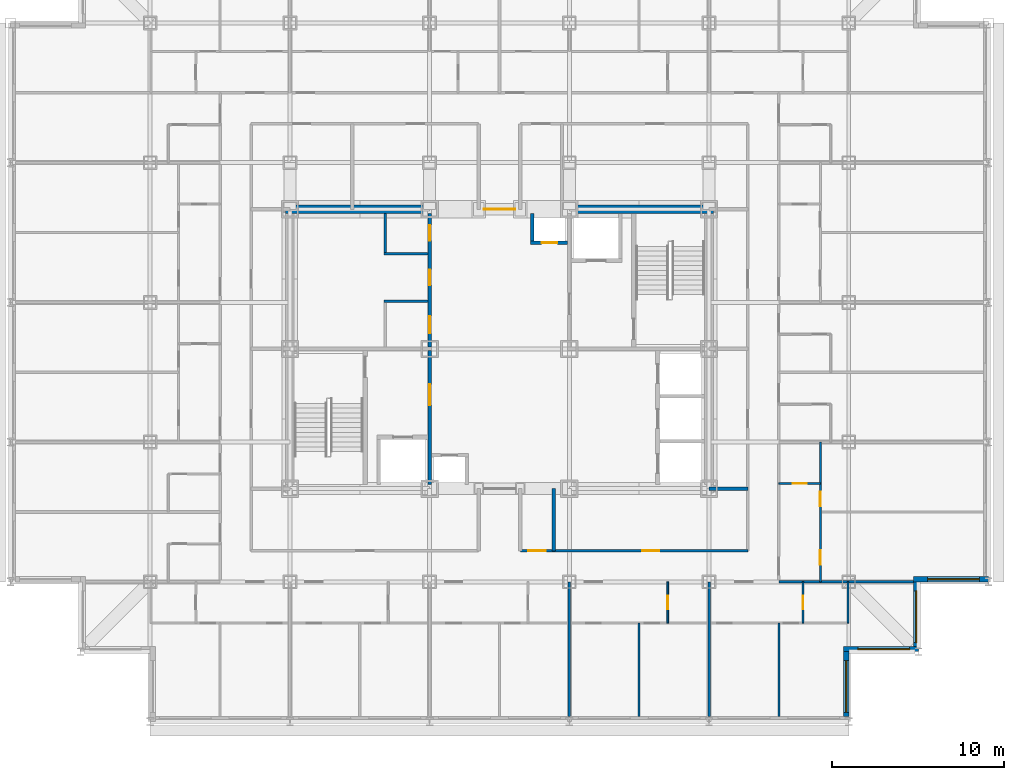
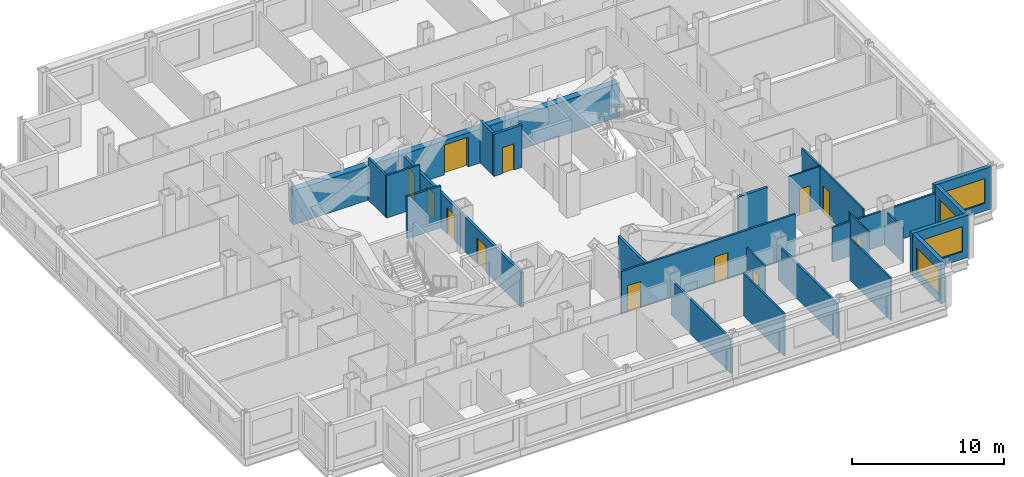
# One storey, part 7 of 12: 25 walls, 13 doors, 4 windows, 17 openings.
"""IFC4 building model written with IfcOpenShell, lengths in metres."""

import ifcopenshell
import ifcopenshell.guid

model = None  # the IFC model being written
_history = None  # IfcOwnerHistory: only IFC2X3 demands one
_inside = {}  # id of a spatial element -> (the spatial element, [elements in it])
_under = {}  # id of a project, library or spatial element -> (it, [spatial elements below it])
_declared = {}  # id of a project -> (the project, [libraries it declares])
_typed = {}  # id of a type object -> (the type object, [elements of that type])
_made_of = {}  # id of a material, layer set ... -> (it, [elements and type objects made of it])


def new_model(schema):
    """Start an empty IFC model of exactly this schema.

    Asked for "IFC4X3", IfcOpenShell would pick the latest addendum, in which some entities
    have other attributes; the version numbers below select the first issue.
    IFC2X3 requires an IfcOwnerHistory on every rooted entity: one is made here for all.
    """
    global model, _history
    if schema == "IFC4X3":
        model = ifcopenshell.file(schema_version=(4, 3, 0, 0))
    else:
        model = ifcopenshell.file(schema=schema)
    _inside.clear()
    _under.clear()
    _declared.clear()
    _typed.clear()
    _made_of.clear()
    _history = None
    if model.schema == "IFC2X3":
        org = make("IfcOrganization", Name="unknown")
        user = make(
            "IfcPersonAndOrganization",
            ThePerson=make("IfcPerson", FamilyName="unknown"),
            TheOrganization=org,
        )
        app = make(
            "IfcApplication",
            ApplicationDeveloper=org,
            Version="unknown",
            ApplicationFullName="unknown",
            ApplicationIdentifier="unknown",
        )
        _history = make(
            "IfcOwnerHistory",
            OwningUser=user,
            OwningApplication=app,
            ChangeAction="ADDED",
            CreationDate=0,
        )
    return model


def make(cls, **values):
    """One entity of the class cls with the attributes given. An attribute that is None is left unset."""
    return model.create_entity(
        cls, **{name: value for name, value in values.items() if value is not None}
    )


def rooted(cls, **values):
    """An entity with a GlobalId (a new one), such as an element, a storey or a relation."""
    return make(cls, GlobalId=ifcopenshell.guid.new(), OwnerHistory=_history, **values)


def si_unit(unit_type, name, prefix=None):
    """IfcSIUnit, for example si_unit("LENGTHUNIT", "METRE", prefix="MILLI")."""
    return make("IfcSIUnit", UnitType=unit_type, Prefix=prefix, Name=name)


def assignment(units):
    """IfcUnitAssignment: the units of a project."""
    return None if units is None else make("IfcUnitAssignment", Units=units)


def point(xyz):
    """IfcCartesianPoint."""
    return None if xyz is None else make("IfcCartesianPoint", Coordinates=xyz)


def direction(xyz):
    """IfcDirection."""
    return None if xyz is None else make("IfcDirection", DirectionRatios=xyz)


def frame(location, z_axis=None, x_axis=None):
    """IfcAxis2Placement3D, a coordinate frame: its origin and axes. An axis left out is left unset."""
    return make(
        "IfcAxis2Placement3D",
        Location=point(location),
        Axis=direction(z_axis),
        RefDirection=direction(x_axis),
    )


def frame_2d(location, x_axis=None):
    """IfcAxis2Placement2D, a coordinate frame in the plane: its origin and x axis."""
    return make(
        "IfcAxis2Placement2D", Location=point(location), RefDirection=direction(x_axis)
    )


def origin():
    """The frame at (0, 0, 0) with its axes left unset."""
    return frame((0.0, 0.0, 0.0))


def place(relative_to, where):
    """IfcLocalPlacement: puts the frame where relative to a parent placement (None: the world)."""
    return make(
        "IfcLocalPlacement", PlacementRelTo=relative_to, RelativePlacement=where
    )


def context(
    kind, dimensions, precision=None, world=None, true_north=None, identifier=None
):
    """IfcGeometricRepresentationContext, for example the 3D "Model" context."""
    return make(
        "IfcGeometricRepresentationContext",
        ContextIdentifier=identifier,
        ContextType=kind,
        CoordinateSpaceDimension=dimensions,
        Precision=precision,
        WorldCoordinateSystem=world,
        TrueNorth=true_north,
    )


def subcontext(parent, identifier, kind, view, scale=None):
    """IfcGeometricRepresentationSubContext, for example "Body" below "Model"."""
    return make(
        "IfcGeometricRepresentationSubContext",
        ContextIdentifier=identifier,
        ContextType=kind,
        ParentContext=parent,
        TargetScale=scale,
        TargetView=view,
    )


def project(units=None, contexts=None):
    """IfcProject with its units and contexts."""
    return rooted(
        "IfcProject",
        Name="project",
        RepresentationContexts=contexts,
        UnitsInContext=assignment(units),
    )


def spatial(cls, under=None, at=None, **own):
    """A site, building, storey or space (cls), placed at a placement, below another one or the project."""
    s = rooted(cls, ObjectPlacement=at, **own)
    if under is not None:
        _under.setdefault(under.id(), (under, []))[1].append(s)
    return s


def profile(cls, at=None, kind="AREA", **sizes):
    """A parametric profile (cls). Its sizes go by their IFC names, for example OverallWidth=200.0."""
    return make(cls, ProfileType=kind, Position=at, **sizes)


def rectangle(**sizes):
    """IfcRectangleProfileDef."""
    return profile("IfcRectangleProfileDef", **sizes)


def extrude(swept, where, along, depth):
    """IfcExtrudedAreaSolid: the profile swept, set in the frame where, extruded along a direction by depth."""
    return make(
        "IfcExtrudedAreaSolid",
        SweptArea=swept,
        Position=where,
        ExtrudedDirection=direction(along),
        Depth=depth,
    )


def shape(context_of_items, identifier, shape_type, items):
    """IfcShapeRepresentation: the items that make up one representation, for example the "Body"."""
    return make(
        "IfcShapeRepresentation",
        ContextOfItems=context_of_items,
        RepresentationIdentifier=identifier,
        RepresentationType=shape_type,
        Items=items,
    )


def material(Name=None, Category=None):
    """IfcMaterial."""
    return make("IfcMaterial", Name=Name, Category=Category)


def layer(
    of_material, thickness, ventilated=None, Name=None, Category=None, Priority=None
):
    """IfcMaterialLayer: one layer of a wall or slab, of a material (None: an air gap)."""
    return make(
        "IfcMaterialLayer",
        Material=of_material,
        LayerThickness=thickness,
        IsVentilated=ventilated,
        Name=Name,
        Category=Category,
        Priority=Priority,
    )


def layer_set(layers, Name=None):
    """IfcMaterialLayerSet."""
    return make("IfcMaterialLayerSet", MaterialLayers=layers, LayerSetName=Name)


def made_of(thing, what):
    """Note that an element or type object is made of a material, layer set ...; save() writes the relation."""
    if what is not None:
        _made_of.setdefault(what.id(), (what, []))[1].append(thing)
    return thing


def type_object(cls, material=None, **own):
    """A type object (cls), such as IfcWallType, which elements share."""
    return made_of(rooted(cls, **own), material)


def element(
    cls,
    number,
    at=None,
    inside=None,
    cuts=None,
    type_object=None,
    material=None,
    context=None,
    identifier="Body",
    shape_type=None,
    held_by="IfcProductDefinitionShape",
    body=None,
    shapes=None,
    **own,
):
    """One element of the class cls, such as IfcWall. Its Tag is "e" and its number.

    at: its placement. inside: the storey or other place that contains it. cuts: it is an
    opening in that element (IfcRelVoidsElement). A single representation is given by context,
    identifier, shape_type and body (its items); several are given by shapes. held_by: the class
    of the entity that holds the representations. save() writes the other relations.
    """
    e = rooted(cls, Tag="e%d" % number, ObjectPlacement=at, **own)
    if body is not None:
        shapes = [shape(context, identifier, shape_type, body)]
    if shapes is not None:
        e.Representation = make(held_by, Representations=shapes)
    if inside is not None:
        _inside.setdefault(inside.id(), (inside, []))[1].append(e)
    if cuts is not None:
        rooted(
            "IfcRelVoidsElement", RelatingBuildingElement=cuts, RelatedOpeningElement=e
        )
    if type_object is not None:
        _typed.setdefault(type_object.id(), (type_object, []))[1].append(e)
    return made_of(e, material)


def fill(opening, filler):
    """IfcRelFillsElement: the door or window that sits in an opening."""
    return rooted(
        "IfcRelFillsElement",
        RelatingOpeningElement=opening,
        RelatedBuildingElement=filler,
    )


def aggregate(whole, parts):
    """IfcRelAggregates: a whole, such as a stair, and the parts it consists of."""
    return rooted("IfcRelAggregates", RelatingObject=whole, RelatedObjects=parts)


def save(model, path):
    """Write the relations noted so far, then the file.

    IfcRelAggregates (storeys below a building ...), IfcRelContainedInSpatialStructure (elements
    in a storey), IfcRelDefinesByType, IfcRelAssociatesMaterial and IfcRelDeclares: one each for
    every whole, place, type object, material and project.
    """
    for whole, parts in _under.values():
        aggregate(whole, parts)
    for where, things in _inside.values():
        rooted(
            "IfcRelContainedInSpatialStructure",
            RelatedElements=things,
            RelatingStructure=where,
        )
    for kind, things in _typed.values():
        rooted("IfcRelDefinesByType", RelatedObjects=things, RelatingType=kind)
    for what, things in _made_of.values():
        rooted("IfcRelAssociatesMaterial", RelatedObjects=things, RelatingMaterial=what)
    for by, libraries in _declared.values():
        rooted("IfcRelDeclares", RelatingContext=by, RelatedDefinitions=libraries)
    model.write(path)


model = new_model("IFC4")

# Units and contexts
model_context = context("Model", 3, precision=1e-05, world=origin(), true_north=direction((0.0, 1.0)))
body_context = subcontext(model_context, "Body", "Model", "MODEL_VIEW")
ifc_project = project(units=[si_unit("LENGTHUNIT", "METRE"), si_unit("AREAUNIT", "SQUARE_METRE"), si_unit("VOLUMEUNIT", "CUBIC_METRE"), si_unit("PLANEANGLEUNIT", "RADIAN"), si_unit("MASSUNIT", "GRAM", prefix="KILO")], contexts=[model_context])

# Site, building, storey
site_placement = place(None, origin())
site = spatial("IfcSite", under=ifc_project, at=site_placement, CompositionType="ELEMENT")
building_placement = place(site_placement, origin())
building = spatial("IfcBuilding", under=site, at=building_placement, Name="Kopane Lantern Tower", CompositionType="ELEMENT")
storey_placement = place(building_placement, frame((0.0, 0.0, 184.800048828125)))
storey = spatial("IfcBuildingStorey", under=building, at=storey_placement, Name="L47", CompositionType="ELEMENT", Elevation=184.800048828125)

# Wall
ifc_material_1 = material(Name="Gypsum board on steel studs", Category="steel")
ifc_layer_1 = layer(ifc_material_1, 0.1201171875)
ifc_layer_set_1 = layer_set([ifc_layer_1], Name="APARTMENT INTERNAL WALL 120")
wall_type_1 = type_object("IfcWallType", Name="APARTMENT INTERNAL WALL 120", PredefinedType="PARTITIONING", material=ifc_layer_set_1)
wall_1_placement = place(storey_placement, frame((36.449951171875, 16.5, 0.0), z_axis=(0.0, 0.0, 1.0), x_axis=(0.0, -1.0, 0.0)))
element("IfcWall", 1, at=wall_1_placement, inside=storey, type_object=wall_type_1, Name="Apartment Internal Wall 120 L47", PredefinedType="PARTITIONING", context=body_context, shape_type="SweptSolid", body=[
    extrude(rectangle(XDim=5.39990234375, YDim=0.1201171875, at=frame_2d((2.699951171875, 0.0))), origin(), (0.0, 0.0, 1.0), 3.389892578125),
])

# Wall, openings, doors
wall_2_placement = place(storey_placement, frame((46.949951171875, 18.89990234375, 0.0), z_axis=(0.0, 0.0, 1.0), x_axis=(0.0, 1.0, 0.0)))
wall_2 = element("IfcWall", 2, at=wall_2_placement, inside=storey, type_object=wall_type_1, Name="Apartment Internal Wall 120 L47", PredefinedType="PARTITIONING", context=body_context, shape_type="SweptSolid", body=[
    extrude(rectangle(XDim=8.10009765625, YDim=0.1201171875, at=frame_2d((4.050048828125, 0.0))), origin(), (0.0, 0.0, 1.0), 3.389892578125),
])
opening_1_placement = place(wall_2_placement, frame((0.97509765625, 0.0, 0.0)))
opening_1 = element("IfcOpeningElement", 3, at=opening_1_placement, cuts=wall_2, Name="Opening L47-048", PredefinedType="OPENING", context=body_context, shape_type="SweptSolid", body=[
    extrude(rectangle(XDim=0.85009765625, YDim=2.10009765625, at=frame_2d((0.425048828125, 1.050048828125))), frame((0.0, 0.070068359375, 0.0), z_axis=(0.0, -1.0, 0.0), x_axis=(1.0, 0.0, 0.0)), (0.0, 0.0, 1.0), 0.14013671875),
])
opening_2_placement = place(wall_2_placement, frame((4.375, 0.0, 0.0)))
opening_2 = element("IfcOpeningElement", 4, at=opening_2_placement, cuts=wall_2, Name="Opening L47-049", PredefinedType="OPENING", context=body_context, shape_type="SweptSolid", body=[
    extrude(rectangle(XDim=0.85009765625, YDim=2.10009765625, at=frame_2d((0.425048828125, 1.050048828125))), frame((0.0, 0.070068359375, 0.0), z_axis=(0.0, -1.0, 0.0), x_axis=(1.0, 0.0, 0.0)), (0.0, 0.0, 1.0), 0.14013671875),
])
ifc_material_2 = material(Name="Timber door set", Category="wood")
door_type_1 = type_object("IfcDoorType", Name="DOOR D4 850x2100", OperationType="SINGLE_SWING_LEFT", PredefinedType="DOOR", material=ifc_material_2)
door_1_placement = place(opening_1_placement, origin())
door_1 = element("IfcDoor", 5, at=door_1_placement, inside=storey, type_object=door_type_1, Name="Door L47-048", OperationType="SINGLE_SWING_LEFT", OverallHeight=2.10009765625, OverallWidth=0.85009765625, PredefinedType="DOOR", context=body_context, shape_type="SweptSolid", body=[
    extrude(rectangle(XDim=0.85009765625, YDim=2.10009765625, at=frame_2d((0.425048828125, 1.050048828125))), frame((0.0, 0.02490234375, 0.0), z_axis=(0.0, -1.0, 0.0), x_axis=(1.0, 0.0, 0.0)), (0.0, 0.0, 1.0), 0.050048828125),
])
fill(opening_1, door_1)
door_2_placement = place(opening_2_placement, origin())
door_2 = element("IfcDoor", 6, at=door_2_placement, inside=storey, type_object=door_type_1, Name="Door L47-049", OperationType="SINGLE_SWING_RIGHT", OverallHeight=2.10009765625, OverallWidth=0.85009765625, PredefinedType="DOOR", context=body_context, shape_type="SweptSolid", body=[
    extrude(rectangle(XDim=0.85009765625, YDim=2.10009765625, at=frame_2d((0.425048828125, 1.050048828125))), frame((0.0, 0.02490234375, 0.0), z_axis=(0.0, -1.0, 0.0), x_axis=(1.0, 0.0, 0.0)), (0.0, 0.0, 1.0), 0.050048828125),
])
fill(opening_2, door_2)

# Wall
wall_3_placement = place(storey_placement, frame((44.550048828125, 16.5, 0.0), z_axis=(0.0, 0.0, 1.0), x_axis=(0.0, -1.0, 0.0)))
element("IfcWall", 7, at=wall_3_placement, inside=storey, type_object=wall_type_1, Name="Apartment Internal Wall 120 L47", PredefinedType="PARTITIONING", context=body_context, shape_type="SweptSolid", body=[
    extrude(rectangle(XDim=5.39990234375, YDim=0.1201171875, at=frame_2d((2.699951171875, 0.0))), origin(), (0.0, 0.0, 1.0), 3.389892578125),
])

# Wall, opening, door
ifc_material_3 = material(Name="Moisture-resistant board on steel studs", Category="steel")
ifc_layer_2 = layer(ifc_material_3, 0.10009765625)
ifc_layer_set_2 = layer_set([ifc_layer_2], Name="BATHROOM WALL 100")
wall_type_2 = type_object("IfcWallType", Name="BATHROOM WALL 100", PredefinedType="PARTITIONING", material=ifc_layer_set_2)
wall_4_placement = place(storey_placement, frame((38.10009765625, 18.89990234375, 0.0), z_axis=(0.0, 0.0, 1.0), x_axis=(0.0, -1.0, 0.0)))
wall_4 = element("IfcWall", 8, at=wall_4_placement, inside=storey, type_object=wall_type_2, Name="Bathroom Wall 100 L47", PredefinedType="PARTITIONING", context=body_context, shape_type="SweptSolid", body=[
    extrude(rectangle(XDim=2.39990234375, YDim=0.10009765625, at=frame_2d((1.199951171875, 0.0))), origin(), (0.0, 0.0, 1.0), 3.389892578125),
])
opening_3_placement = place(wall_4_placement, frame((0.800048828125, 0.0, 0.0)))
opening_3 = element("IfcOpeningElement", 9, at=opening_3_placement, cuts=wall_4, Name="Opening L47-020", PredefinedType="OPENING", context=body_context, shape_type="SweptSolid", body=[
    extrude(rectangle(XDim=0.800048828125, YDim=2.10009765625, at=frame_2d((0.39990234375, 1.050048828125))), frame((0.0, 0.06005859375, 0.0), z_axis=(0.0, -1.0, 0.0), x_axis=(1.0, 0.0, 0.0)), (0.0, 0.0, 1.0), 0.1201171875),
])
ifc_material_4 = material(Name="Timber door set", Category="wood")
door_type_2 = type_object("IfcDoorType", Name="DOOR D2 800x2100", OperationType="SINGLE_SWING_LEFT", PredefinedType="DOOR", material=ifc_material_4)
door_3_placement = place(opening_3_placement, origin())
door_3 = element("IfcDoor", 10, at=door_3_placement, inside=storey, type_object=door_type_2, Name="Door L47-020", OperationType="SINGLE_SWING_LEFT", OverallHeight=2.10009765625, OverallWidth=0.800048828125, PredefinedType="DOOR", context=body_context, shape_type="SweptSolid", body=[
    extrude(rectangle(XDim=0.800048828125, YDim=2.10009765625, at=frame_2d((0.39990234375, 1.050048828125))), frame((0.0, 0.02490234375, 0.0), z_axis=(0.0, -1.0, 0.0), x_axis=(1.0, 0.0, 0.0)), (0.0, 0.0, 1.0), 0.050048828125),
])
fill(opening_3, door_3)

wall_5_placement = place(storey_placement, frame((44.550048828125, 24.60009765625, 0.0), z_axis=(0.0, 0.0, 1.0), x_axis=(1.0, 0.0, 0.0)))
wall_5 = element("IfcWall", 11, at=wall_5_placement, inside=storey, type_object=wall_type_2, Name="Bathroom Wall 100 L47", PredefinedType="PARTITIONING", context=body_context, shape_type="SweptSolid", body=[
    extrude(rectangle(XDim=2.39990234375, YDim=0.10009765625, at=frame_2d((1.199951171875, 0.0))), origin(), (0.0, 0.0, 1.0), 3.389892578125),
])
opening_4_placement = place(wall_5_placement, frame((0.800048828125, 0.0, 0.0)))
opening_4 = element("IfcOpeningElement", 12, at=opening_4_placement, cuts=wall_5, Name="Opening L47-046", PredefinedType="OPENING", context=body_context, shape_type="SweptSolid", body=[
    extrude(rectangle(XDim=0.800048828125, YDim=2.10009765625, at=frame_2d((0.39990234375, 1.050048828125))), frame((0.0, 0.06005859375, 0.0), z_axis=(0.0, -1.0, 0.0), x_axis=(1.0, 0.0, 0.0)), (0.0, 0.0, 1.0), 0.1201171875),
])
door_4_placement = place(opening_4_placement, origin())
door_4 = element("IfcDoor", 13, at=door_4_placement, inside=storey, type_object=door_type_2, Name="Door L47-046", OperationType="SINGLE_SWING_LEFT", OverallHeight=2.10009765625, OverallWidth=0.800048828125, PredefinedType="DOOR", context=body_context, shape_type="SweptSolid", body=[
    extrude(rectangle(XDim=0.800048828125, YDim=2.10009765625, at=frame_2d((0.39990234375, 1.050048828125))), frame((0.0, 0.02490234375, 0.0), z_axis=(0.0, -1.0, 0.0), x_axis=(1.0, 0.0, 0.0)), (0.0, 0.0, 1.0), 0.050048828125),
])
fill(opening_4, door_4)

wall_6_placement = place(storey_placement, frame((45.949951171875, 18.89990234375, 0.0), z_axis=(0.0, 0.0, 1.0), x_axis=(0.0, -1.0, 0.0)))
wall_6 = element("IfcWall", 14, at=wall_6_placement, inside=storey, type_object=wall_type_2, Name="Bathroom Wall 100 L47", PredefinedType="PARTITIONING", context=body_context, shape_type="SweptSolid", body=[
    extrude(rectangle(XDim=2.39990234375, YDim=0.10009765625, at=frame_2d((1.199951171875, 0.0))), origin(), (0.0, 0.0, 1.0), 3.389892578125),
])
opening_5_placement = place(wall_6_placement, frame((0.800048828125, 0.0, 0.0)))
opening_5 = element("IfcOpeningElement", 15, at=opening_5_placement, cuts=wall_6, Name="Opening L47-066", PredefinedType="OPENING", context=body_context, shape_type="SweptSolid", body=[
    extrude(rectangle(XDim=0.800048828125, YDim=2.10009765625, at=frame_2d((0.39990234375, 1.050048828125))), frame((0.0, 0.06005859375, 0.0), z_axis=(0.0, -1.0, 0.0), x_axis=(1.0, 0.0, 0.0)), (0.0, 0.0, 1.0), 0.1201171875),
])
door_5_placement = place(opening_5_placement, origin())
door_5 = element("IfcDoor", 16, at=door_5_placement, inside=storey, type_object=door_type_2, Name="Door L47-066", OperationType="SINGLE_SWING_LEFT", OverallHeight=2.10009765625, OverallWidth=0.800048828125, PredefinedType="DOOR", context=body_context, shape_type="SweptSolid", body=[
    extrude(rectangle(XDim=0.800048828125, YDim=2.10009765625, at=frame_2d((0.39990234375, 1.050048828125))), frame((0.0, 0.02490234375, 0.0), z_axis=(0.0, -1.0, 0.0), x_axis=(1.0, 0.0, 0.0)), (0.0, 0.0, 1.0), 0.050048828125),
])
fill(opening_5, door_5)

# Wall
wall_7_placement = place(storey_placement, frame((48.550048828125, 18.89990234375, 0.0), z_axis=(0.0, 0.0, 1.0), x_axis=(0.0, -1.0, 0.0)))
element("IfcWall", 17, at=wall_7_placement, inside=storey, type_object=wall_type_2, Name="Bathroom Wall 100 L47", PredefinedType="PARTITIONING", context=body_context, shape_type="SweptSolid", body=[
    extrude(rectangle(XDim=2.39990234375, YDim=0.10009765625, at=frame_2d((1.199951171875, 0.0))), origin(), (0.0, 0.0, 1.0), 2.77783203125),
])

# Wall, opening, door
ifc_material_5 = material(Name="Gypsum shaft wall EI 120", Category="gypsum")
ifc_layer_3 = layer(ifc_material_5, 0.5)
ifc_layer_set_3 = layer_set([ifc_layer_3], Name="CORE PERIMETER WALL 500 EI 120")
wall_type_3 = type_object("IfcWallType", Name="CORE PERIMETER WALL 500 EI 120", PredefinedType="SOLIDWALL", material=ifc_layer_set_3)
wall_8_placement = place(storey_placement, frame((15.949951171875, 40.5, 0.0), z_axis=(0.0, 0.0, 1.0), x_axis=(1.0, 0.0, 0.0)))
wall_8 = element("IfcWall", 18, at=wall_8_placement, inside=storey, type_object=wall_type_3, Name="Core shaft wall L47 PN", PredefinedType="SOLIDWALL", context=body_context, shape_type="SweptSolid", body=[
    extrude(rectangle(XDim=24.800048828125, YDim=0.5, at=frame_2d((12.39990234375, 0.0))), origin(), (0.0, 0.0, 1.0), 2.739990234375),
])
opening_6_placement = place(wall_8_placement, frame((11.5, 0.0, 0.0)))
opening_6 = element("IfcOpeningElement", 19, at=opening_6_placement, cuts=wall_8, Name="Opening 47.CE-N", PredefinedType="OPENING", context=body_context, shape_type="SweptSolid", body=[
    extrude(rectangle(XDim=1.800048828125, YDim=2.39990234375, at=frame_2d((0.89990234375, 1.199951171875))), frame((0.0, 0.260009765625, 0.0), z_axis=(0.0, -1.0, 0.0), x_axis=(1.0, 0.0, 0.0)), (0.0, 0.0, 1.0), 0.52001953125),
])
ifc_material_6 = material(Name="Steel door set", Category="steel")
door_type_3 = type_object("IfcDoorType", Name="CORE ENTRY DOOR 1800x2400 FD60S", OperationType="DOUBLE_DOOR_SINGLE_SWING", PredefinedType="DOOR", material=ifc_material_6)
door_6_placement = place(opening_6_placement, origin())
door_6 = element("IfcDoor", 20, at=door_6_placement, inside=storey, type_object=door_type_3, Name="Core entry door L47 north", OperationType="DOUBLE_DOOR_SINGLE_SWING", OverallHeight=2.39990234375, OverallWidth=1.800048828125, PredefinedType="DOOR", context=body_context, shape_type="SweptSolid", body=[
    extrude(rectangle(XDim=1.800048828125, YDim=2.39990234375, at=frame_2d((0.89990234375, 1.199951171875))), frame((0.0, 0.02490234375, 0.0), z_axis=(0.0, -1.0, 0.0), x_axis=(1.0, 0.0, 0.0)), (0.0, 0.0, 1.0), 0.050048828125),
])
fill(opening_6, door_6)

# Walls
ifc_material_7 = material(Name="Gypsum partition EI 60", Category="gypsum")
ifc_layer_4 = layer(ifc_material_7, 0.14990234375)
ifc_layer_set_4 = layer_set([ifc_layer_4], Name="CORE ROOM PARTITION 150 EI 60")
wall_type_4 = type_object("IfcWallType", Name="CORE ROOM PARTITION 150 EI 60", PredefinedType="PARTITIONING", material=ifc_layer_set_4)
for number, where, z_axis, x_axis, name in (
    (21, (21.64990234375, 35.175048828125, 0.0), (0.0, 0.0, 1.0), (1.0, 0.0, 0.0), "Core room partition L47 WW1"),
    (22, (21.64990234375, 37.925048828125, 0.0), (0.0, 0.0, 1.0), (1.0, 0.0, 0.0), "Core room partition L47 WW2"),
):
    element("IfcWall", number, at=place(storey_placement, frame(where, z_axis=z_axis, x_axis=x_axis)), inside=storey, type_object=wall_type_4, Name=name, PredefinedType="PARTITIONING", context=body_context, shape_type="SweptSolid", body=[
        extrude(rectangle(XDim=2.550048828125, YDim=0.14990234375, at=frame_2d((1.27490234375, 0.0))), origin(), (0.0, 0.0, 1.0), 3.389892578125),
    ])
wall_9_placement = place(storey_placement, frame((21.72509765625, 38.0, 0.0), z_axis=(0.0, 0.0, 1.0), x_axis=(0.0, 1.0, 0.0)))
element("IfcWall", 23, at=wall_9_placement, inside=storey, type_object=wall_type_4, Name="Core room partition L47 WWB1", PredefinedType="PARTITIONING", context=body_context, shape_type="SweptSolid", body=[
    extrude(rectangle(XDim=2.25, YDim=0.14990234375, at=frame_2d((1.125, 0.0))), origin(), (0.0, 0.0, 1.0), 3.389892578125),
])

# Wall, openings, doors
ifc_material_8 = material(Name="Gypsum partition EI 60", Category="gypsum")
ifc_layer_5 = layer(ifc_material_8, 0.199951171875)
ifc_layer_set_5 = layer_set([ifc_layer_5], Name="CORE ROOM WALL 200 EI 60")
wall_type_5 = type_object("IfcWallType", Name="CORE ROOM WALL 200 EI 60", PredefinedType="PARTITIONING", material=ifc_layer_set_5)
wall_10_placement = place(storey_placement, frame((24.300048828125, 32.5, 0.0), z_axis=(0.0, 0.0, 1.0), x_axis=(0.0, 1.0, 0.0)))
wall_10 = element("IfcWall", 24, at=wall_10_placement, inside=storey, type_object=wall_type_5, Name="Core room wall L47 XW", PredefinedType="PARTITIONING", context=body_context, shape_type="SweptSolid", body=[
    extrude(rectangle(XDim=7.75, YDim=0.199951171875, at=frame_2d((3.875, 0.0))), origin(), (0.0, 0.0, 1.0), 2.77783203125),
])
opening_7_placement = place(wall_10_placement, frame((0.800048828125, 0.0, 0.0)))
opening_7 = element("IfcOpeningElement", 25, at=opening_7_placement, cuts=wall_10, Name="Opening 47.C30", PredefinedType="OPENING", context=body_context, shape_type="SweptSolid", body=[
    extrude(rectangle(XDim=1.0, YDim=2.10009765625, at=frame_2d((0.5, 1.050048828125))), frame((0.0, 0.10986328125, 0.0), z_axis=(0.0, -1.0, 0.0), x_axis=(1.0, 0.0, 0.0)), (0.0, 0.0, 1.0), 0.219970703125),
])
opening_8_placement = place(wall_10_placement, frame((3.60009765625, 0.0, 0.0)))
opening_8 = element("IfcOpeningElement", 26, at=opening_8_placement, cuts=wall_10, Name="Opening 47.C31", PredefinedType="OPENING", context=body_context, shape_type="SweptSolid", body=[
    extrude(rectangle(XDim=0.89990234375, YDim=2.10009765625, at=frame_2d((0.449951171875, 1.050048828125))), frame((0.0, 0.10986328125, 0.0), z_axis=(0.0, -1.0, 0.0), x_axis=(1.0, 0.0, 0.0)), (0.0, 0.0, 1.0), 0.219970703125),
])
opening_9_placement = place(wall_10_placement, frame((6.175048828125, 0.0, 0.0)))
opening_9 = element("IfcOpeningElement", 27, at=opening_9_placement, cuts=wall_10, Name="Opening 47.C32", PredefinedType="OPENING", context=body_context, shape_type="SweptSolid", body=[
    extrude(rectangle(XDim=0.89990234375, YDim=2.10009765625, at=frame_2d((0.449951171875, 1.050048828125))), frame((0.0, 0.10986328125, 0.0), z_axis=(0.0, -1.0, 0.0), x_axis=(1.0, 0.0, 0.0)), (0.0, 0.0, 1.0), 0.219970703125),
])
ifc_material_9 = material(Name="Steel door set", Category="steel")
door_type_4 = type_object("IfcDoorType", Name="CORE ROOM DOOR 1000x2100 FD30S", OperationType="SINGLE_SWING_RIGHT", PredefinedType="DOOR", material=ifc_material_9)
door_7_placement = place(opening_7_placement, origin())
door_7 = element("IfcDoor", 28, at=door_7_placement, inside=storey, type_object=door_type_4, Name="Door Concierge pantry L47", OperationType="SINGLE_SWING_LEFT", OverallHeight=2.10009765625, OverallWidth=1.0, PredefinedType="DOOR", context=body_context, shape_type="SweptSolid", body=[
    extrude(rectangle(XDim=1.0, YDim=2.10009765625, at=frame_2d((0.5, 1.050048828125))), frame((0.0, 0.02490234375, 0.0), z_axis=(0.0, -1.0, 0.0), x_axis=(1.0, 0.0, 0.0)), (0.0, 0.0, 1.0), 0.050048828125),
])
fill(opening_7, door_7)
ifc_material_10 = material(Name="Steel door set", Category="steel")
door_type_5 = type_object("IfcDoorType", Name="CORE ROOM DOOR 900x2100 FD60", OperationType="SINGLE_SWING_LEFT", PredefinedType="DOOR", material=ifc_material_10)
door_8_placement = place(opening_8_placement, origin())
door_8 = element("IfcDoor", 29, at=door_8_placement, inside=storey, type_object=door_type_5, Name="Door Residents storage L47", OperationType="SINGLE_SWING_RIGHT", OverallHeight=2.10009765625, OverallWidth=0.89990234375, PredefinedType="DOOR", context=body_context, shape_type="SweptSolid", body=[
    extrude(rectangle(XDim=0.89990234375, YDim=2.10009765625, at=frame_2d((0.449951171875, 1.050048828125))), frame((0.0, 0.02490234375, 0.0), z_axis=(0.0, -1.0, 0.0), x_axis=(1.0, 0.0, 0.0)), (0.0, 0.0, 1.0), 0.050048828125),
])
fill(opening_8, door_8)
door_9_placement = place(opening_9_placement, origin())
door_9 = element("IfcDoor", 30, at=door_9_placement, inside=storey, type_object=door_type_5, Name="Door Cleaner store L47", OperationType="SINGLE_SWING_LEFT", OverallHeight=2.10009765625, OverallWidth=0.89990234375, PredefinedType="DOOR", context=body_context, shape_type="SweptSolid", body=[
    extrude(rectangle(XDim=0.89990234375, YDim=2.10009765625, at=frame_2d((0.449951171875, 1.050048828125))), frame((0.0, 0.02490234375, 0.0), z_axis=(0.0, -1.0, 0.0), x_axis=(1.0, 0.0, 0.0)), (0.0, 0.0, 1.0), 0.050048828125),
])
fill(opening_9, door_9)

ifc_material_11 = material(Name="Gypsum board on steel studs", Category="steel")
ifc_layer_6 = layer(ifc_material_11, 0.14990234375)
ifc_layer_set_6 = layer_set([ifc_layer_6], Name="CORRIDOR WALL 150 EI 60")
wall_type_6 = type_object("IfcWallType", Name="CORRIDOR WALL 150 EI 60", PredefinedType="PARTITIONING", material=ifc_layer_set_6)
wall_11_placement = place(storey_placement, frame((29.56005859375, 20.699951171875, 0.0), z_axis=(0.0, 0.0, 1.0), x_axis=(1.0, 0.0, 0.0)))
wall_11 = element("IfcWall", 31, at=wall_11_placement, inside=storey, type_object=wall_type_6, Name="Corridor Wall 150 Ei 60 L47", PredefinedType="PARTITIONING", context=body_context, shape_type="SweptSolid", body=[
    extrude(rectangle(XDim=13.18994140625, YDim=0.14990234375, at=frame_2d((6.594970703125, 0.0))), origin(), (0.0, 0.0, 1.0), 3.389892578125),
])
opening_10_placement = place(wall_11_placement, frame((0.462158203125, 0.0, 0.0)))
opening_10 = element("IfcOpeningElement", 32, at=opening_10_placement, cuts=wall_11, Name="Opening L47-006", PredefinedType="OPENING", context=body_context, shape_type="SweptSolid", body=[
    extrude(rectangle(XDim=1.0, YDim=2.10009765625, at=frame_2d((0.5, 1.050048828125))), frame((0.0, 0.0849609375, 0.0), z_axis=(0.0, -1.0, 0.0), x_axis=(1.0, 0.0, 0.0)), (0.0, 0.0, 1.0), 0.169921875),
])
opening_11_placement = place(wall_11_placement, frame((7.062255859375, 0.0, 0.0)))
opening_11 = element("IfcOpeningElement", 33, at=opening_11_placement, cuts=wall_11, Name="Opening L47-007", PredefinedType="OPENING", context=body_context, shape_type="SweptSolid", body=[
    extrude(rectangle(XDim=1.0, YDim=2.10009765625, at=frame_2d((0.5, 1.050048828125))), frame((0.0, 0.0849609375, 0.0), z_axis=(0.0, -1.0, 0.0), x_axis=(1.0, 0.0, 0.0)), (0.0, 0.0, 1.0), 0.169921875),
])
ifc_material_12 = material(Name="Steel door set", Category="steel")
door_type_6 = type_object("IfcDoorType", Name="DOOR D5 1000x2100 FD60", OperationType="SINGLE_SWING_LEFT", PredefinedType="DOOR", material=ifc_material_12)
door_10_placement = place(opening_10_placement, origin())
door_10 = element("IfcDoor", 34, at=door_10_placement, inside=storey, type_object=door_type_6, Name="Door L47-006", OperationType="SINGLE_SWING_LEFT", OverallHeight=2.10009765625, OverallWidth=1.0, PredefinedType="DOOR", context=body_context, shape_type="SweptSolid", body=[
    extrude(rectangle(XDim=1.0, YDim=2.10009765625, at=frame_2d((0.5, 1.050048828125))), frame((0.0, 0.02490234375, 0.0), z_axis=(0.0, -1.0, 0.0), x_axis=(1.0, 0.0, 0.0)), (0.0, 0.0, 1.0), 0.050048828125),
])
fill(opening_10, door_10)
door_11_placement = place(opening_11_placement, origin())
door_11 = element("IfcDoor", 35, at=door_11_placement, inside=storey, type_object=door_type_6, Name="Door L47-007", OperationType="SINGLE_SWING_RIGHT", OverallHeight=2.10009765625, OverallWidth=1.0, PredefinedType="DOOR", context=body_context, shape_type="SweptSolid", body=[
    extrude(rectangle(XDim=1.0, YDim=2.10009765625, at=frame_2d((0.5, 1.050048828125))), frame((0.0, 0.02490234375, 0.0), z_axis=(0.0, -1.0, 0.0), x_axis=(1.0, 0.0, 0.0)), (0.0, 0.0, 1.0), 0.050048828125),
])
fill(opening_11, door_11)

# Walls
ifc_material_13 = material(Name="Gypsum board on steel studs", Category="steel")
ifc_layer_7 = layer(ifc_material_13, 0.14990234375)
ifc_layer_set_7 = layer_set([ifc_layer_7], Name="DEMISING WALL 150 EI 60")
wall_type_7 = type_object("IfcWallType", Name="DEMISING WALL 150 EI 60", PredefinedType="PARTITIONING", material=ifc_layer_set_7)
wall_12_placement = place(storey_placement, frame((32.39990234375, 18.89990234375, 0.0), z_axis=(0.0, 0.0, 1.0), x_axis=(0.0, -1.0, 0.0)))
element("IfcWall", 36, at=wall_12_placement, inside=storey, type_object=wall_type_7, Name="Demising Wall 150 Ei 60 L47", PredefinedType="PARTITIONING", context=body_context, shape_type="SweptSolid", body=[
    extrude(rectangle(XDim=7.7998046875, YDim=0.14990234375, at=frame_2d((3.89990234375, 0.0))), origin(), (0.0, 0.0, 1.0), 2.77783203125),
])
wall_13_placement = place(storey_placement, frame((44.550048828125, 18.89990234375, 0.0), z_axis=(0.0, 0.0, 1.0), x_axis=(1.0, 0.0, 0.0)))
element("IfcWall", 37, at=wall_13_placement, inside=storey, type_object=wall_type_7, Name="Demising Wall 150 Ei 60 L47", PredefinedType="PARTITIONING", context=body_context, shape_type="SweptSolid", body=[
    extrude(rectangle(XDim=7.800048828125, YDim=0.14990234375, at=frame_2d((3.89990234375, 0.0))), origin(), (0.0, 0.0, 1.0), 2.77783203125),
])
wall_14_placement = place(storey_placement, frame((40.5, 18.89990234375, 0.0), z_axis=(0.0, 0.0, 1.0), x_axis=(0.0, -1.0, 0.0)))
element("IfcWall", 38, at=wall_14_placement, inside=storey, type_object=wall_type_7, Name="Demising Wall 150 Ei 60 L47", PredefinedType="PARTITIONING", context=body_context, shape_type="SweptSolid", body=[
    extrude(rectangle(XDim=7.7998046875, YDim=0.14990234375, at=frame_2d((3.89990234375, 0.0))), origin(), (0.0, 0.0, 1.0), 2.77783203125),
])

# Wall, opening, window
ifc_material_14 = material(Name="Terracotta rainscreen on light steel framing", Category="masonry")
ifc_layer_8 = layer(ifc_material_14, 0.300048828125)
ifc_layer_set_8 = layer_set([ifc_layer_8], Name="EXTERNAL WALL EW1 300 TERRACOTTA")
wall_type_8 = type_object("IfcWallType", Name="EXTERNAL WALL EW1 300 TERRACOTTA", PredefinedType="SOLIDWALL", material=ifc_layer_set_8)
wall_15_placement = place(storey_placement, frame((48.449951171875, 11.10009765625, 0.0), z_axis=(0.0, 0.0, 1.0), x_axis=(0.0, 1.0, 0.0)))
wall_15 = element("IfcWall", 39, at=wall_15_placement, inside=storey, type_object=wall_type_8, Name="External wall E L47", PredefinedType="SOLIDWALL", context=body_context, shape_type="SweptSolid", body=[
    extrude(rectangle(XDim=3.75, YDim=0.300048828125, at=frame_2d((1.875, 0.0))), origin(), (0.0, 0.0, 1.0), 3.389892578125),
])
opening_12_placement = place(wall_15_placement, frame((0.22509765625, 0.0, 0.60009765625)))
opening_12 = element("IfcOpeningElement", 40, at=opening_12_placement, cuts=wall_15, Name="Opening WR300200", PredefinedType="OPENING", context=body_context, shape_type="SweptSolid", body=[
    extrude(rectangle(XDim=3.0, YDim=2.0, at=frame_2d((1.5, 1.0))), frame((0.0, 0.159912109375, 0.0), z_axis=(0.0, -1.0, 0.0), x_axis=(1.0, 0.0, 0.0)), (0.0, 0.0, 1.0), 0.320068359375),
])
ifc_material_15 = material(Name="Aluminium and clear glass", Category="aluminium")
window_type = type_object("IfcWindowType", Name="RIBBON WINDOW WR300200 3000x2000", PartitioningType="SINGLE_PANEL", PredefinedType="WINDOW", material=ifc_material_15)
window_1_placement = place(opening_12_placement, origin())
window_1 = element("IfcWindow", 41, at=window_1_placement, inside=storey, type_object=window_type, Name="Window E L47", OverallHeight=2.0, OverallWidth=3.0, PartitioningType="SINGLE_PANEL", PredefinedType="WINDOW", context=body_context, shape_type="SweptSolid", body=[
    extrude(rectangle(XDim=3.0, YDim=2.0, at=frame_2d((1.5, 1.0))), frame((0.0, 0.030029296875, 0.0), z_axis=(0.0, -1.0, 0.0), x_axis=(1.0, 0.0, 0.0)), (0.0, 0.0, 1.0), 0.06005859375),
])
fill(opening_12, window_1)

wall_16_placement = place(storey_placement, frame((48.300048828125, 15.0, 0.0), z_axis=(0.0, 0.0, 1.0), x_axis=(1.0, 0.0, 0.0)))
wall_16 = element("IfcWall", 42, at=wall_16_placement, inside=storey, type_object=wall_type_8, Name="External wall S L47", PredefinedType="SOLIDWALL", context=body_context, shape_type="SweptSolid", body=[
    extrude(rectangle(XDim=4.349853515625, YDim=0.300048828125, at=frame_2d((2.1748046875, 0.0))), origin(), (0.0, 0.0, 1.0), 3.389892578125),
])
opening_13_placement = place(wall_16_placement, frame((0.824951171875, 0.0, 0.60009765625)))
opening_13 = element("IfcOpeningElement", 43, at=opening_13_placement, cuts=wall_16, Name="Opening WR300200", PredefinedType="OPENING", context=body_context, shape_type="SweptSolid", body=[
    extrude(rectangle(XDim=3.0, YDim=2.0, at=frame_2d((1.5, 1.0))), frame((0.0, 0.159912109375, 0.0), z_axis=(0.0, -1.0, 0.0), x_axis=(1.0, 0.0, 0.0)), (0.0, 0.0, 1.0), 0.320068359375),
])
window_2_placement = place(opening_13_placement, origin())
window_2 = element("IfcWindow", 44, at=window_2_placement, inside=storey, type_object=window_type, Name="Window S L47", OverallHeight=2.0, OverallWidth=3.0, PartitioningType="SINGLE_PANEL", PredefinedType="WINDOW", context=body_context, shape_type="SweptSolid", body=[
    extrude(rectangle(XDim=3.0, YDim=2.0, at=frame_2d((1.5, 1.0))), frame((0.0, 0.030029296875, 0.0), z_axis=(0.0, -1.0, 0.0), x_axis=(1.0, 0.0, 0.0)), (0.0, 0.0, 1.0), 0.06005859375),
])
fill(opening_13, window_2)

wall_17_placement = place(storey_placement, frame((52.5, 15.14990234375, 0.0), z_axis=(0.0, 0.0, 1.0), x_axis=(0.0, 1.0, 0.0)))
wall_17 = element("IfcWall", 45, at=wall_17_placement, inside=storey, type_object=wall_type_8, Name="External wall E L47", PredefinedType="SOLIDWALL", context=body_context, shape_type="SweptSolid", body=[
    extrude(rectangle(XDim=3.75, YDim=0.300048828125, at=frame_2d((1.875, 0.0))), origin(), (0.0, 0.0, 1.0), 3.389892578125),
])
opening_14_placement = place(wall_17_placement, frame((0.22509765625, 0.0, 0.60009765625)))
opening_14 = element("IfcOpeningElement", 46, at=opening_14_placement, cuts=wall_17, Name="Opening WR300200", PredefinedType="OPENING", context=body_context, shape_type="SweptSolid", body=[
    extrude(rectangle(XDim=3.0, YDim=2.0, at=frame_2d((1.5, 1.0))), frame((0.0, 0.159912109375, 0.0), z_axis=(0.0, -1.0, 0.0), x_axis=(1.0, 0.0, 0.0)), (0.0, 0.0, 1.0), 0.320068359375),
])
window_3_placement = place(opening_14_placement, origin())
window_3 = element("IfcWindow", 47, at=window_3_placement, inside=storey, type_object=window_type, Name="Window E L47", OverallHeight=2.0, OverallWidth=3.0, PartitioningType="SINGLE_PANEL", PredefinedType="WINDOW", context=body_context, shape_type="SweptSolid", body=[
    extrude(rectangle(XDim=3.0, YDim=2.0, at=frame_2d((1.5, 1.0))), frame((0.0, 0.030029296875, 0.0), z_axis=(0.0, -1.0, 0.0), x_axis=(1.0, 0.0, 0.0)), (0.0, 0.0, 1.0), 0.06005859375),
])
fill(opening_14, window_3)

wall_18_placement = place(storey_placement, frame((52.35009765625, 19.050048828125, 0.0), z_axis=(0.0, 0.0, 1.0), x_axis=(1.0, 0.0, 0.0)))
wall_18 = element("IfcWall", 48, at=wall_18_placement, inside=storey, type_object=wall_type_8, Name="External wall S L47", PredefinedType="SOLIDWALL", context=body_context, shape_type="SweptSolid", body=[
    extrude(rectangle(XDim=4.349853515625, YDim=0.300048828125, at=frame_2d((2.1748046875, 0.0))), origin(), (0.0, 0.0, 1.0), 3.389892578125),
])
opening_15_placement = place(wall_18_placement, frame((0.824951171875, 0.0, 0.60009765625)))
opening_15 = element("IfcOpeningElement", 49, at=opening_15_placement, cuts=wall_18, Name="Opening WR300200", PredefinedType="OPENING", context=body_context, shape_type="SweptSolid", body=[
    extrude(rectangle(XDim=3.0, YDim=2.0, at=frame_2d((1.5, 1.0))), frame((0.0, 0.159912109375, 0.0), z_axis=(0.0, -1.0, 0.0), x_axis=(1.0, 0.0, 0.0)), (0.0, 0.0, 1.0), 0.320068359375),
])
window_4_placement = place(opening_15_placement, origin())
window_4 = element("IfcWindow", 50, at=window_4_placement, inside=storey, type_object=window_type, Name="Window S L47", OverallHeight=2.0, OverallWidth=3.0, PartitioningType="SINGLE_PANEL", PredefinedType="WINDOW", context=body_context, shape_type="SweptSolid", body=[
    extrude(rectangle(XDim=3.0, YDim=2.0, at=frame_2d((1.5, 1.0))), frame((0.0, 0.030029296875, 0.0), z_axis=(0.0, -1.0, 0.0), x_axis=(1.0, 0.0, 0.0)), (0.0, 0.0, 1.0), 0.06005859375),
])
fill(opening_15, window_4)

# Walls
ifc_material_16 = material(Name="Concrete masonry", Category="masonry")
ifc_layer_9 = layer(ifc_material_16, 0.199951171875)
ifc_layer_set_9 = layer_set([ifc_layer_9], Name="PLANT ROOM WALL 200 EI 120")
wall_type_9 = type_object("IfcWallType", Name="PLANT ROOM WALL 200 EI 120", PredefinedType="SOLIDWALL", material=ifc_layer_set_9)
wall_19_placement = place(storey_placement, frame((31.494384765625, 20.699951171875, 0.0), z_axis=(0.0, 0.0, 1.0), x_axis=(0.0, 1.0, 0.0)))
element("IfcWall", 51, at=wall_19_placement, inside=storey, type_object=wall_type_9, Name="Plant Room Wall 200 Ei 120 L47", PredefinedType="SOLIDWALL", context=body_context, shape_type="SweptSolid", body=[
    extrude(rectangle(XDim=3.60009765625, YDim=0.199951171875, at=frame_2d((1.800048828125, 0.0))), origin(), (0.0, 0.0, 1.0), 3.389892578125),
])
wall_20_placement = place(storey_placement, frame((40.5, 24.300048828125, 0.0), z_axis=(0.0, 0.0, 1.0), x_axis=(1.0, 0.0, 0.0)))
element("IfcWall", 52, at=wall_20_placement, inside=storey, type_object=wall_type_9, Name="Plant Room Wall 200 Ei 120 L47", PredefinedType="SOLIDWALL", context=body_context, shape_type="SweptSolid", body=[
    extrude(rectangle(XDim=2.25, YDim=0.199951171875, at=frame_2d((1.125, 0.0))), origin(), (0.0, 0.0, 1.0), 3.389892578125),
])

# Wall, opening, door
ifc_material_17 = material(Name="Gypsum shaft wall EI 120", Category="gypsum")
ifc_layer_10 = layer(ifc_material_17, 0.199951171875)
ifc_layer_set_10 = layer_set([ifc_layer_10], Name="SHAFT WALL 200 EI 120")
wall_type_10 = type_object("IfcWallType", Name="SHAFT WALL 200 EI 120", PredefinedType="SOLIDWALL", material=ifc_layer_set_10)
wall_21_placement = place(storey_placement, frame((24.300048828125, 24.550048828125, 0.0), z_axis=(0.0, 0.0, 1.0), x_axis=(0.0, 1.0, 0.0)))
wall_21 = element("IfcWall", 53, at=wall_21_placement, inside=storey, type_object=wall_type_10, Name="Core shaft wall L47 X243", PredefinedType="SOLIDWALL", context=body_context, shape_type="SweptSolid", body=[
    extrude(rectangle(XDim=7.75, YDim=0.199951171875, at=frame_2d((3.875, 0.0))), origin(), (0.0, 0.0, 1.0), 2.77783203125),
])
opening_16_placement = place(wall_21_placement, frame((4.60009765625, 0.0, 0.0)))
opening_16 = element("IfcOpeningElement", 54, at=opening_16_placement, cuts=wall_21, Name="Opening 47.FL1", PredefinedType="OPENING", context=body_context, shape_type="SweptSolid", body=[
    extrude(rectangle(XDim=1.199951171875, YDim=2.10009765625, at=frame_2d((0.60009765625, 1.050048828125))), frame((0.0, 0.10986328125, 0.0), z_axis=(0.0, -1.0, 0.0), x_axis=(1.0, 0.0, 0.0)), (0.0, 0.0, 1.0), 0.219970703125),
])
ifc_material_18 = material(Name="Steel door set", Category="steel")
door_type_7 = type_object("IfcDoorType", Name="FIREFIGHTING LOBBY DOOR 1200x2100 FD60S", OperationType="SINGLE_SWING_RIGHT", PredefinedType="DOOR", material=ifc_material_18)
door_12_placement = place(opening_16_placement, origin())
door_12 = element("IfcDoor", 55, at=door_12_placement, inside=storey, type_object=door_type_7, Name="Firefighting lobby door FL1 L47", OperationType="SINGLE_SWING_LEFT", OverallHeight=2.10009765625, OverallWidth=1.199951171875, PredefinedType="DOOR", context=body_context, shape_type="SweptSolid", body=[
    extrude(rectangle(XDim=1.199951171875, YDim=2.10009765625, at=frame_2d((0.60009765625, 1.050048828125))), frame((0.0, 0.02490234375, 0.0), z_axis=(0.0, -1.0, 0.0), x_axis=(1.0, 0.0, 0.0)), (0.0, 0.0, 1.0), 0.050048828125),
])
fill(opening_16, door_12)

# Wall
wall_22_placement = place(storey_placement, frame((30.25, 38.64990234375, 0.0), z_axis=(0.0, 0.0, 1.0), x_axis=(0.0, 1.0, 0.0)))
element("IfcWall", 56, at=wall_22_placement, inside=storey, type_object=wall_type_10, Name="Core shaft wall L47 XRS2", PredefinedType="SOLIDWALL", context=body_context, shape_type="SweptSolid", body=[
    extrude(rectangle(XDim=1.60009765625, YDim=0.199951171875, at=frame_2d((0.800048828125, 0.0))), origin(), (0.0, 0.0, 1.0), 3.389892578125),
])

# Wall, opening, door
wall_23_placement = place(storey_placement, frame((30.14990234375, 38.550048828125, 0.0), z_axis=(0.0, 0.0, 1.0), x_axis=(1.0, 0.0, 0.0)))
wall_23 = element("IfcWall", 57, at=wall_23_placement, inside=storey, type_object=wall_type_10, Name="Core shaft wall L47 YRS2", PredefinedType="SOLIDWALL", context=body_context, shape_type="SweptSolid", body=[
    extrude(rectangle(XDim=2.150146484375, YDim=0.199951171875, at=frame_2d((1.0751953125, 0.0))), origin(), (0.0, 0.0, 1.0), 3.389892578125),
])
opening_17_placement = place(wall_23_placement, frame((0.64990234375, 0.0, 0.0)))
opening_17 = element("IfcOpeningElement", 58, at=opening_17_placement, cuts=wall_23, Name="Opening 47.RS2", PredefinedType="OPENING", context=body_context, shape_type="SweptSolid", body=[
    extrude(rectangle(XDim=0.89990234375, YDim=2.10009765625, at=frame_2d((0.449951171875, 1.050048828125))), frame((0.0, 0.10986328125, 0.0), z_axis=(0.0, -1.0, 0.0), x_axis=(1.0, 0.0, 0.0)), (0.0, 0.0, 1.0), 0.219970703125),
])
ifc_material_19 = material(Name="Steel door set", Category="steel")
door_type_8 = type_object("IfcDoorType", Name="RISER ACCESS DOOR 900x2100 FD60", OperationType="SINGLE_SWING_LEFT", PredefinedType="DOOR", material=ifc_material_19)
door_13_placement = place(opening_17_placement, origin())
door_13 = element("IfcDoor", 59, at=door_13_placement, inside=storey, type_object=door_type_8, Name="Riser access door RS2 L47", OperationType="SINGLE_SWING_LEFT", OverallHeight=2.10009765625, OverallWidth=0.89990234375, PredefinedType="DOOR", context=body_context, shape_type="SweptSolid", body=[
    extrude(rectangle(XDim=0.89990234375, YDim=2.10009765625, at=frame_2d((0.449951171875, 1.050048828125))), frame((0.0, 0.02490234375, 0.0), z_axis=(0.0, -1.0, 0.0), x_axis=(1.0, 0.0, 0.0)), (0.0, 0.0, 1.0), 0.050048828125),
])
fill(opening_17, door_13)

save(model, "model.ifc")
